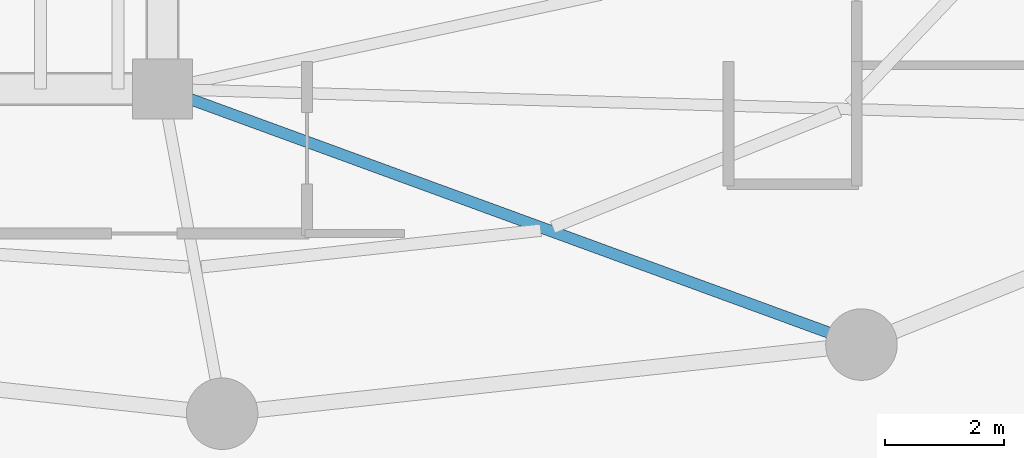
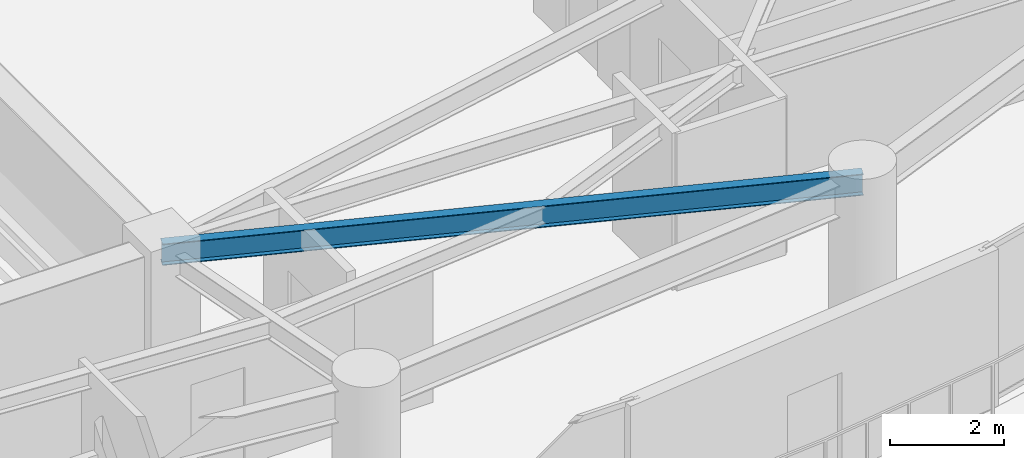
# One storey, part 11 of 33: 1 beam.
"""IFC4 building model written with IfcOpenShell, lengths in metres."""

from ifc_helpers import new_model, si_unit, direction, frame, origin, origin_2d, place, context, subcontext, project, spatial, i_section, extrude, material, material_profile, profile_set, type_object, element, save


model = new_model("IFC4")

# Units and contexts
model_context = context("Model", 3, precision=1e-05, world=origin(), true_north=direction((0.0, 1.0)))
body_context = subcontext(model_context, "Body", "Model", "MODEL_VIEW")
ifc_project = project(units=[si_unit("LENGTHUNIT", "METRE"), si_unit("AREAUNIT", "SQUARE_METRE"), si_unit("VOLUMEUNIT", "CUBIC_METRE"), si_unit("PLANEANGLEUNIT", "RADIAN"), si_unit("MASSUNIT", "GRAM", prefix="KILO")], contexts=[model_context])

# Site, building, storey
site_placement = place(None, origin())
site = spatial("IfcSite", under=ifc_project, at=site_placement, CompositionType="ELEMENT")
building_placement = place(site_placement, origin())
building = spatial("IfcBuilding", under=site, at=building_placement, Name="Kazevale Care Tower and Concert Hall", CompositionType="ELEMENT")
storey_placement = place(building_placement, frame((0.0, 0.0, 149.39990234375)))
storey = spatial("IfcBuildingStorey", under=building, at=storey_placement, Name="L39", CompositionType="ELEMENT", Elevation=149.39990234375)

# Beam
ifc_material = material(Name="Steel ASTM A572 Gr 50", Category="steel")
ifc_material_profile = material_profile(ifc_material, i_section(OverallWidth=0.19091796875, OverallDepth=0.4599609375, WebThickness=0.010009765625, FlangeThickness=0.01611328125, at=origin_2d()), Name="W460x82")
ifc_profile_set = profile_set([ifc_material_profile], Name="Steel ASTM A572 Gr 50")
beam_type = type_object("IfcBeamType", Name="Radial Floor Beam W460x82", PredefinedType="BEAM", material=ifc_profile_set)
beam_placement = place(storey_placement, frame((44.0, 23.60009765625, 3.130126953125), z_axis=(0.939159459123, -0.343481455599, 0.0), x_axis=(0.343481455599, 0.939159459123, 0.0)))
element("IfcBeam", 1, at=beam_placement, inside=storey, type_object=beam_type, Name="beam:L39:rad:14", PredefinedType="BEAM", context=body_context, shape_type="SweptSolid", body=[
    extrude(i_section(OverallWidth=0.19091796875, OverallDepth=0.4599609375, WebThickness=0.010009765625, FlangeThickness=0.01611328125, at=origin_2d()), origin(), (0.0, 0.0, 1.0), 12.489990234375),
])

save(model, "model.ifc")
